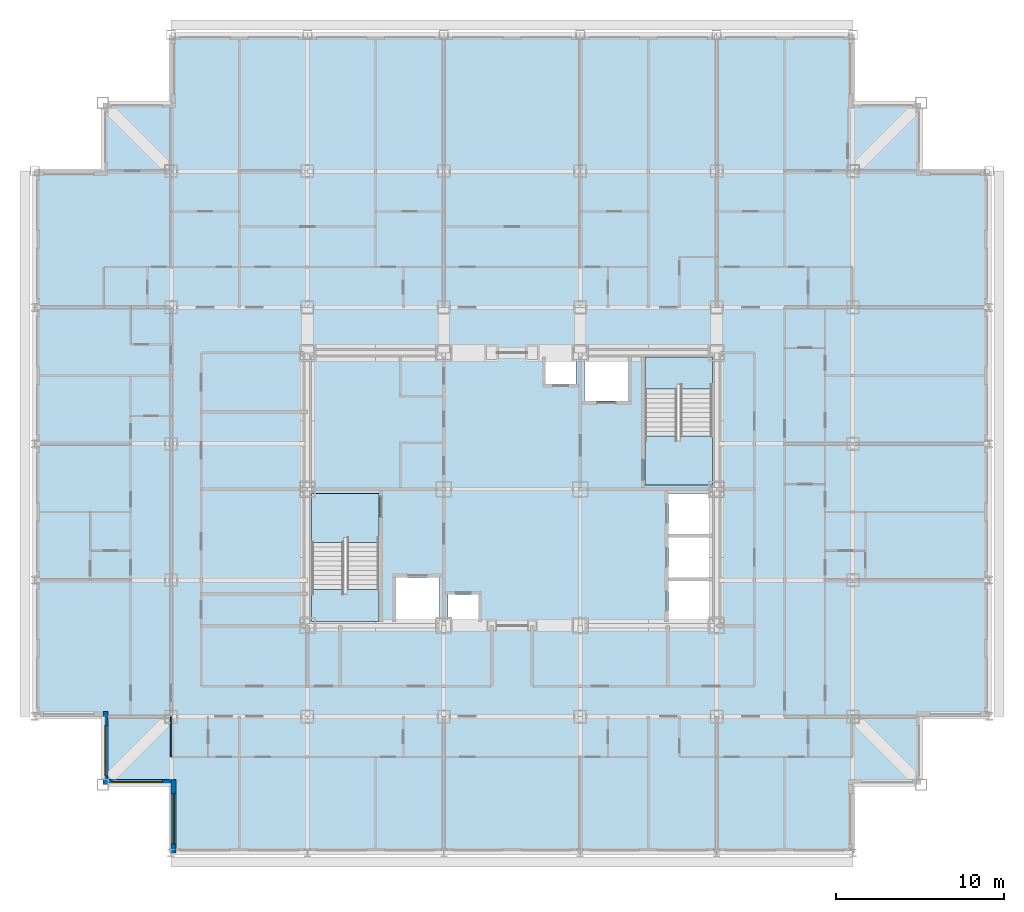
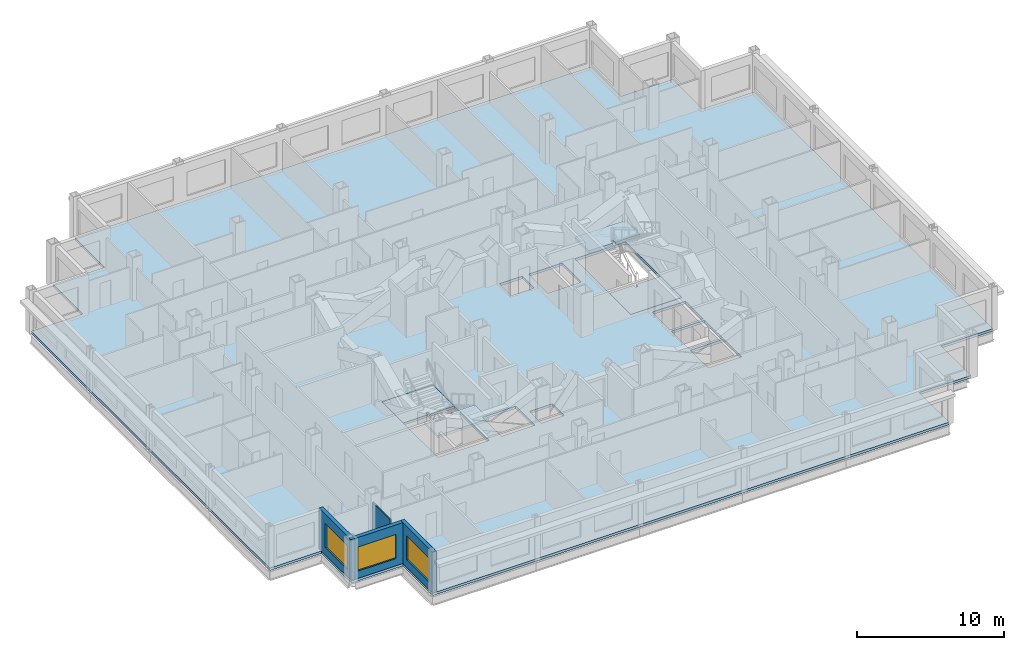
# One storey, part 3 of 12: 5 slabs, 4 walls, 3 windows, 3 openings, 2 elements without a shape of their own.
"""IFC4 building model written with IfcOpenShell, lengths in metres."""

from ifc_helpers import new_model, si_unit, direction, frame, frame_2d, origin, place, context, subcontext, project, spatial, polyline, rectangle, outline, extrude, material, layer, layer_set, type_object, element, fill, aggregate, save


model = new_model("IFC4")

# Units and contexts
model_context = context("Model", 3, precision=1e-05, world=origin(), true_north=direction((0.0, 1.0)))
body_context = subcontext(model_context, "Body", "Model", "MODEL_VIEW")
ifc_project = project(units=[si_unit("LENGTHUNIT", "METRE"), si_unit("AREAUNIT", "SQUARE_METRE"), si_unit("VOLUMEUNIT", "CUBIC_METRE"), si_unit("PLANEANGLEUNIT", "RADIAN"), si_unit("MASSUNIT", "GRAM", prefix="KILO")], contexts=[model_context])

# Site, building, storey
site_placement = place(None, origin())
site = spatial("IfcSite", under=ifc_project, at=site_placement, CompositionType="ELEMENT")
building_placement = place(site_placement, origin())
building = spatial("IfcBuilding", under=site, at=building_placement, Name="Kopane Lantern Tower", CompositionType="ELEMENT")
storey_placement = place(building_placement, frame((0.0, 0.0, 228.0)))
storey = spatial("IfcBuildingStorey", under=building, at=storey_placement, Name="L59", CompositionType="ELEMENT", Elevation=228.0)

# Slab
ifc_material_1 = material(Name="Concrete C40/50", Category="concrete")
ifc_layer_1 = layer(ifc_material_1, 0.2099609375)
ifc_layer_set_1 = layer_set([ifc_layer_1], Name="SLAB 210 COMPOSITE")
slab_type_1 = type_object("IfcSlabType", Name="SLAB 210 COMPOSITE", PredefinedType="FLOOR", material=ifc_layer_set_1)
slab_1_placement = place(storey_placement, frame((0.0, 0.0, -0.2099609375)))
element("IfcSlab", 1, at=slab_1_placement, inside=storey, type_object=slab_type_1, Name="Floor slab L59", PredefinedType="FLOOR", context=body_context, shape_type="SweptSolid", body=[
    extrude(outline(polyline([(8.10009765625, 10.800048828125), (48.60009765625, 10.800048828125), (48.60009765625, 14.85009765625), (52.64990234375, 14.85009765625), (52.64990234375, 18.89990234375), (56.699951171875, 18.89990234375), (56.699951171875, 51.300048828125), (52.64990234375, 51.300048828125), (52.64990234375, 55.35009765625), (48.60009765625, 55.35009765625), (48.60009765625, 59.39990234375), (8.10009765625, 59.39990234375), (8.10009765625, 55.35009765625), (4.050048828125, 55.35009765625), (4.050048828125, 51.300048828125), (0.0, 51.300048828125), (0.0, 18.89990234375), (4.050048828125, 18.89990234375), (4.050048828125, 14.85009765625), (8.10009765625, 14.85009765625), (8.10009765625, 10.800048828125)]), holes=[polyline([(16.449951171875, 24.550048828125), (20.449951171875, 24.550048828125), (20.449951171875, 32.14990234375), (16.449951171875, 32.14990234375), (16.449951171875, 24.550048828125)]), polyline([(36.25, 32.64990234375), (40.25, 32.64990234375), (40.25, 40.25), (36.25, 40.25), (36.25, 32.64990234375)]), polyline([(37.64990234375, 24.550048828125), (40.25, 24.550048828125), (40.25, 26.949951171875), (37.64990234375, 26.949951171875), (37.64990234375, 24.550048828125)]), polyline([(37.64990234375, 27.14990234375), (40.25, 27.14990234375), (40.25, 29.550048828125), (37.64990234375, 29.550048828125), (37.64990234375, 27.14990234375)]), polyline([(37.64990234375, 29.75), (40.25, 29.75), (40.25, 32.14990234375), (37.64990234375, 32.14990234375), (37.64990234375, 29.75)]), polyline([(21.449951171875, 24.550048828125), (24.050048828125, 24.550048828125), (24.050048828125, 27.14990234375), (21.449951171875, 27.14990234375), (21.449951171875, 24.550048828125)]), polyline([(32.64990234375, 37.64990234375), (35.25, 37.64990234375), (35.25, 40.25), (32.64990234375, 40.25), (32.64990234375, 37.64990234375)]), polyline([(24.550048828125, 24.550048828125), (26.35009765625, 24.550048828125), (26.35009765625, 26.14990234375), (24.550048828125, 26.14990234375), (24.550048828125, 24.550048828125)]), polyline([(30.35009765625, 38.64990234375), (32.14990234375, 38.64990234375), (32.14990234375, 40.25), (30.35009765625, 40.25), (30.35009765625, 38.64990234375)])]), origin(), (0.0, 0.0, 1.0), 0.2099609375),
])

# Stair, slabs
ifc_material_2 = material(Name="Steel S355JR", Category="steel")
stair_type = type_object("IfcStairType", Name="EXIT STAIR 1900 HALF TURN", PredefinedType="HALF_TURN_STAIR", material=ifc_material_2)
stair_1_placement = place(storey_placement, origin())
stair_1 = element("IfcStair", 2, at=stair_1_placement, inside=storey, type_object=stair_type, Name="Exit stair ST1 L59", PredefinedType="HALF_TURN_STAIR")
ifc_material_3 = material(Name="Concrete C40/50", Category="concrete")
ifc_layer_2 = layer(ifc_material_3, 0.199951171875)
ifc_layer_set_2 = layer_set([ifc_layer_2], Name="STAIR LANDING 200")
slab_type_2 = type_object("IfcSlabType", Name="STAIR LANDING 200", PredefinedType="LANDING", material=ifc_layer_set_2)
slab_2_placement = place(storey_placement, frame((0.0, 0.0, -0.199951171875)))
slab_2 = element("IfcSlab", 3, at=slab_2_placement, type_object=slab_type_2, Name="ST1 landing 1", PredefinedType="LANDING", context=body_context, shape_type="SweptSolid", body=[
    extrude(outline(polyline([(18.35009765625, 29.530029296875), (18.550048828125, 29.530029296875), (18.550048828125, 29.25), (20.449951171875, 29.25), (20.449951171875, 32.14990234375), (16.449951171875, 32.14990234375), (16.449951171875, 29.25), (18.35009765625, 29.25), (18.35009765625, 29.530029296875)])), origin(), (0.0, 0.0, 1.0), 0.199951171875),
])
slab_3_placement = place(storey_placement, frame((0.0, 0.0, 1.60009765625)))
slab_3 = element("IfcSlab", 4, at=slab_3_placement, type_object=slab_type_2, Name="ST1 landing 2", PredefinedType="LANDING", context=body_context, shape_type="SweptSolid", body=[
    extrude(outline(polyline([(20.449951171875, 26.449951171875), (18.550048828125, 26.449951171875), (18.550048828125, 26.169921875), (18.35009765625, 26.169921875), (18.35009765625, 26.449951171875), (16.449951171875, 26.449951171875), (16.449951171875, 24.550048828125), (20.449951171875, 24.550048828125), (20.449951171875, 26.449951171875)])), origin(), (0.0, 0.0, 1.0), 0.199951171875),
])
aggregate(stair_1, [slab_2, slab_3])

stair_2_placement = place(storey_placement, origin())
stair_2 = element("IfcStair", 5, at=stair_2_placement, inside=storey, type_object=stair_type, Name="Exit stair ST2 L59", PredefinedType="HALF_TURN_STAIR")
slab_4_placement = place(storey_placement, frame((0.0, 0.0, -0.199951171875)))
slab_4 = element("IfcSlab", 6, at=slab_4_placement, type_object=slab_type_2, Name="ST2 landing 1", PredefinedType="LANDING", context=body_context, shape_type="SweptSolid", body=[
    extrude(outline(polyline([(40.25, 35.550048828125), (38.35009765625, 35.550048828125), (38.35009765625, 35.27001953125), (38.14990234375, 35.27001953125), (38.14990234375, 35.550048828125), (36.25, 35.550048828125), (36.25, 32.64990234375), (40.25, 32.64990234375), (40.25, 35.550048828125)])), origin(), (0.0, 0.0, 1.0), 0.199951171875),
])
slab_5_placement = place(storey_placement, frame((0.0, 0.0, 1.60009765625)))
slab_5 = element("IfcSlab", 7, at=slab_5_placement, type_object=slab_type_2, Name="ST2 landing 2", PredefinedType="LANDING", context=body_context, shape_type="SweptSolid", body=[
    extrude(outline(polyline([(38.14990234375, 38.6298828125), (38.35009765625, 38.6298828125), (38.35009765625, 38.35009765625), (40.25, 38.35009765625), (40.25, 40.25), (36.25, 40.25), (36.25, 38.35009765625), (38.14990234375, 38.35009765625), (38.14990234375, 38.6298828125)])), origin(), (0.0, 0.0, 1.0), 0.199951171875),
])
aggregate(stair_2, [slab_4, slab_5])

# Wall
ifc_material_4 = material(Name="Moisture-resistant board on steel studs", Category="steel")
ifc_layer_3 = layer(ifc_material_4, 0.10009765625)
ifc_layer_set_3 = layer_set([ifc_layer_3], Name="BATHROOM WALL 100")
wall_type_1 = type_object("IfcWallType", Name="BATHROOM WALL 100", PredefinedType="PARTITIONING", material=ifc_layer_set_3)
wall_1_placement = place(storey_placement, frame((8.10009765625, 18.89990234375, 0.0), z_axis=(0.0, 0.0, 1.0), x_axis=(0.0, -1.0, 0.0)))
element("IfcWall", 8, at=wall_1_placement, inside=storey, type_object=wall_type_1, Name="Bathroom Wall 100 L59", PredefinedType="PARTITIONING", context=body_context, shape_type="SweptSolid", body=[
    extrude(rectangle(XDim=2.39990234375, YDim=0.10009765625, at=frame_2d((1.199951171875, 0.0))), origin(), (0.0, 0.0, 1.0), 2.627685546875),
])

# Wall, opening, window
ifc_material_5 = material(Name="Terracotta rainscreen on light steel framing", Category="masonry")
ifc_layer_4 = layer(ifc_material_5, 0.300048828125)
ifc_layer_set_4 = layer_set([ifc_layer_4], Name="EXTERNAL WALL EW1 300 TERRACOTTA")
wall_type_2 = type_object("IfcWallType", Name="EXTERNAL WALL EW1 300 TERRACOTTA", PredefinedType="SOLIDWALL", material=ifc_layer_set_4)
wall_2_placement = place(storey_placement, frame((4.199951171875, 19.199951171875, 0.0), z_axis=(0.0, 0.0, 1.0), x_axis=(0.0, -1.0, 0.0)))
wall_2 = element("IfcWall", 9, at=wall_2_placement, inside=storey, type_object=wall_type_2, Name="External wall W L59", PredefinedType="SOLIDWALL", context=body_context, shape_type="SweptSolid", body=[
    extrude(rectangle(XDim=4.349853515625, YDim=0.300048828125, at=frame_2d((2.1748046875, 0.0))), origin(), (0.0, 0.0, 1.0), 3.389892578125),
])
opening_1_placement = place(wall_2_placement, frame((0.824951171875, 0.0, 0.60009765625)))
opening_1 = element("IfcOpeningElement", 10, at=opening_1_placement, cuts=wall_2, Name="Opening WR300200", PredefinedType="OPENING", context=body_context, shape_type="SweptSolid", body=[
    extrude(rectangle(XDim=3.0, YDim=2.0, at=frame_2d((1.5, 1.0))), frame((0.0, 0.159912109375, 0.0), z_axis=(0.0, -1.0, 0.0), x_axis=(1.0, 0.0, 0.0)), (0.0, 0.0, 1.0), 0.320068359375),
])
ifc_material_6 = material(Name="Aluminium and clear glass", Category="aluminium")
window_type = type_object("IfcWindowType", Name="RIBBON WINDOW WR300200 3000x2000", PartitioningType="SINGLE_PANEL", PredefinedType="WINDOW", material=ifc_material_6)
window_1_placement = place(opening_1_placement, origin())
window_1 = element("IfcWindow", 11, at=window_1_placement, inside=storey, type_object=window_type, Name="Window W L59", OverallHeight=2.0, OverallWidth=3.0, PartitioningType="SINGLE_PANEL", PredefinedType="WINDOW", context=body_context, shape_type="SweptSolid", body=[
    extrude(rectangle(XDim=3.0, YDim=2.0, at=frame_2d((1.5, 1.0))), frame((0.0, 0.030029296875, 0.0), z_axis=(0.0, -1.0, 0.0), x_axis=(1.0, 0.0, 0.0)), (0.0, 0.0, 1.0), 0.06005859375),
])
fill(opening_1, window_1)

wall_3_placement = place(storey_placement, frame((4.35009765625, 15.0, 0.0), z_axis=(0.0, 0.0, 1.0), x_axis=(1.0, 0.0, 0.0)))
wall_3 = element("IfcWall", 12, at=wall_3_placement, inside=storey, type_object=wall_type_2, Name="External wall S L59", PredefinedType="SOLIDWALL", context=body_context, shape_type="SweptSolid", body=[
    extrude(rectangle(XDim=3.75, YDim=0.300048828125, at=frame_2d((1.875, 0.0))), origin(), (0.0, 0.0, 1.0), 3.389892578125),
])
opening_2_placement = place(wall_3_placement, frame((0.22509765625, 0.0, 0.60009765625)))
opening_2 = element("IfcOpeningElement", 13, at=opening_2_placement, cuts=wall_3, Name="Opening WR300200", PredefinedType="OPENING", context=body_context, shape_type="SweptSolid", body=[
    extrude(rectangle(XDim=3.0, YDim=2.0, at=frame_2d((1.5, 1.0))), frame((0.0, 0.159912109375, 0.0), z_axis=(0.0, -1.0, 0.0), x_axis=(1.0, 0.0, 0.0)), (0.0, 0.0, 1.0), 0.320068359375),
])
window_2_placement = place(opening_2_placement, origin())
window_2 = element("IfcWindow", 14, at=window_2_placement, inside=storey, type_object=window_type, Name="Window S L59", OverallHeight=2.0, OverallWidth=3.0, PartitioningType="SINGLE_PANEL", PredefinedType="WINDOW", context=body_context, shape_type="SweptSolid", body=[
    extrude(rectangle(XDim=3.0, YDim=2.0, at=frame_2d((1.5, 1.0))), frame((0.0, 0.030029296875, 0.0), z_axis=(0.0, -1.0, 0.0), x_axis=(1.0, 0.0, 0.0)), (0.0, 0.0, 1.0), 0.06005859375),
])
fill(opening_2, window_2)

wall_4_placement = place(storey_placement, frame((8.25, 15.14990234375, 0.0), z_axis=(0.0, 0.0, 1.0), x_axis=(0.0, -1.0, 0.0)))
wall_4 = element("IfcWall", 15, at=wall_4_placement, inside=storey, type_object=wall_type_2, Name="External wall W L59", PredefinedType="SOLIDWALL", context=body_context, shape_type="SweptSolid", body=[
    extrude(rectangle(XDim=4.349853515625, YDim=0.300048828125, at=frame_2d((2.1748046875, 0.0))), origin(), (0.0, 0.0, 1.0), 3.389892578125),
])
opening_3_placement = place(wall_4_placement, frame((0.824951171875, 0.0, 0.60009765625)))
opening_3 = element("IfcOpeningElement", 16, at=opening_3_placement, cuts=wall_4, Name="Opening WR300200", PredefinedType="OPENING", context=body_context, shape_type="SweptSolid", body=[
    extrude(rectangle(XDim=3.0, YDim=2.0, at=frame_2d((1.5, 1.0))), frame((0.0, 0.159912109375, 0.0), z_axis=(0.0, -1.0, 0.0), x_axis=(1.0, 0.0, 0.0)), (0.0, 0.0, 1.0), 0.320068359375),
])
window_3_placement = place(opening_3_placement, origin())
window_3 = element("IfcWindow", 17, at=window_3_placement, inside=storey, type_object=window_type, Name="Window W L59", OverallHeight=2.0, OverallWidth=3.0, PartitioningType="SINGLE_PANEL", PredefinedType="WINDOW", context=body_context, shape_type="SweptSolid", body=[
    extrude(rectangle(XDim=3.0, YDim=2.0, at=frame_2d((1.5, 1.0))), frame((0.0, 0.030029296875, 0.0), z_axis=(0.0, -1.0, 0.0), x_axis=(1.0, 0.0, 0.0)), (0.0, 0.0, 1.0), 0.06005859375),
])
fill(opening_3, window_3)

save(model, "model.ifc")
